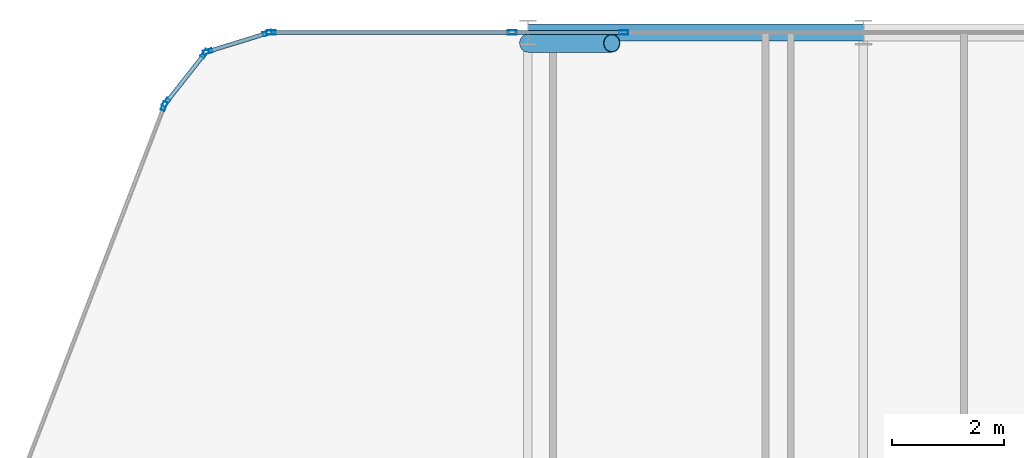
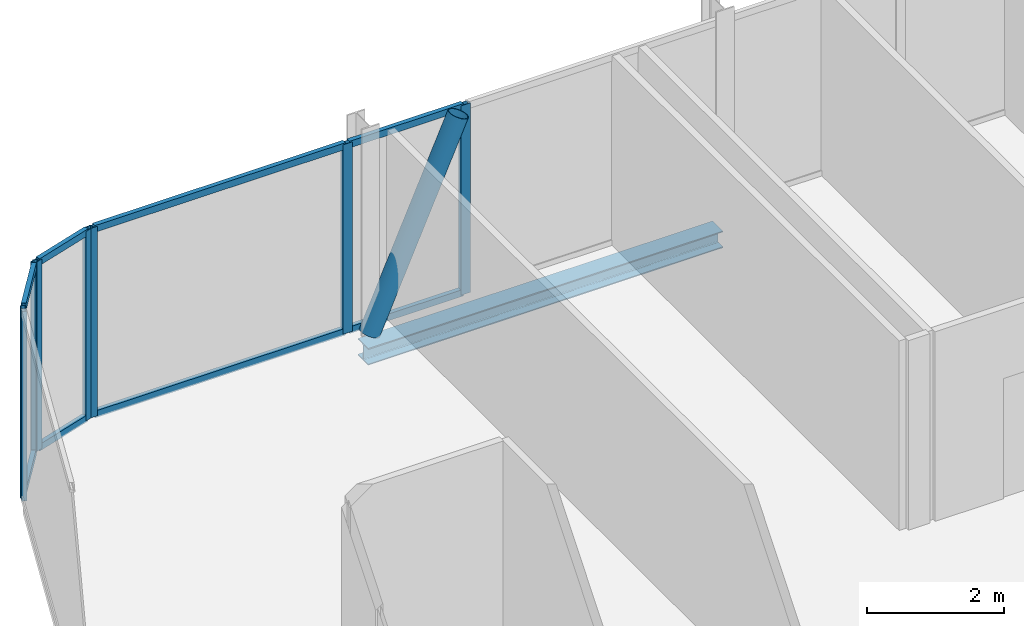
# One storey, part 18 of 29: 17 members, 1 beam, 5 elements without a shape of their own.
"""IFC4 building model written with IfcOpenShell, lengths in metres."""

from ifc_helpers import new_model, si_unit, direction, frame, origin, origin_2d, place, context, subcontext, project, spatial, hollow_rectangle, hollow_circle, i_section, extrude, material, layer, layer_set, material_profile, profile_set, type_object, element, aggregate, save


model = new_model("IFC4")

# Units and contexts
model_context = context("Model", 3, precision=1e-05, world=origin(), true_north=direction((0.0, 1.0)))
body_context = subcontext(model_context, "Body", "Model", "MODEL_VIEW")
ifc_project = project(units=[si_unit("LENGTHUNIT", "METRE"), si_unit("AREAUNIT", "SQUARE_METRE"), si_unit("VOLUMEUNIT", "CUBIC_METRE"), si_unit("PLANEANGLEUNIT", "RADIAN"), si_unit("MASSUNIT", "GRAM", prefix="KILO")], contexts=[model_context])

# Site, building, storey
site_placement = place(None, origin())
site = spatial("IfcSite", under=ifc_project, at=site_placement, CompositionType="ELEMENT")
building_placement = place(site_placement, origin())
building = spatial("IfcBuilding", under=site, at=building_placement, Name="Keshet Zoharim Tower", CompositionType="ELEMENT")
storey_placement = place(building_placement, frame((0.0, 0.0, 169.10009765625)))
storey = spatial("IfcBuildingStorey", under=building, at=storey_placement, Name="L41", CompositionType="ELEMENT", Elevation=169.10009765625)

# Beam
ifc_material_1 = material(Name="Steel S355", Category="steel")
ifc_material_profile_1 = material_profile(ifc_material_1, i_section(OverallWidth=0.300048828125, OverallDepth=0.300048828125, WebThickness=0.010986328125, FlangeThickness=0.01904296875, FilletRadius=0.027099609375, at=origin_2d()), Name="HEB300")
ifc_profile_set_1 = profile_set([ifc_material_profile_1], Name="Steel S355")
beam_type = type_object("IfcBeamType", Name="BM-PRI-HB300", PredefinedType="BEAM", material=ifc_profile_set_1)
beam_placement = place(storey_placement, frame((21.0, 53.89990234375, -0.460205078125), z_axis=(1.0, 0.0, 0.0), x_axis=(0.0, 1.0, 0.0)))
element("IfcBeam", 1, at=beam_placement, inside=storey, type_object=beam_type, Name="L41 Primary Girder X-019", PredefinedType="BEAM", context=body_context, shape_type="SweptSolid", body=[
    extrude(i_section(OverallWidth=0.300048828125, OverallDepth=0.300048828125, WebThickness=0.010986328125, FlangeThickness=0.01904296875, FilletRadius=0.027099609375, at=origin_2d()), origin(), (0.0, 0.0, 1.0), 6.0),
])

# Curtain wall, member
ifc_material_2 = material(Name="Aluminium 6063-T6", Category="aluminium")
ifc_layer = layer(ifc_material_2, 0.139892578125)
ifc_layer_set = layer_set([ifc_layer], Name="Aluminium 6063-T6")
curtain_wall_type = type_object("IfcCurtainWallType", Name="CW-SYS-05", PredefinedType="NOTDEFINED", material=ifc_layer_set)
curtain_wall_1_placement = place(storey_placement, origin())
curtain_wall_1 = element("IfcCurtainWall", 2, at=curtain_wall_1_placement, inside=storey, type_object=curtain_wall_type, Name="L41 Unitised Curtain Wall 13", PredefinedType="NOTDEFINED")
ifc_material_profile_2 = material_profile(ifc_material_2, hollow_rectangle(XDim=0.074951171875, YDim=0.159912109375, WallThickness=0.00390625, at=origin_2d()), Name="MUL-75x160")
ifc_profile_set_2 = profile_set([ifc_material_profile_2], Name="Aluminium 6063-T6")
member_type_1 = type_object("IfcMemberType", Name="CWM-M15", PredefinedType="MULLION", material=ifc_profile_set_2)
member_1_placement = place(storey_placement, frame((14.494384765625, 52.58544921875, 0.0), z_axis=(0.0, 0.0, 1.0), x_axis=(-0.933341404361, 0.358990003907, 0.0)))
member_1 = element("IfcMember", 3, at=member_1_placement, type_object=member_type_1, Name="CW-05 mullion 4", PredefinedType="MULLION", context=body_context, shape_type="SweptSolid", body=[
    extrude(hollow_rectangle(XDim=0.074951171875, YDim=0.159912109375, WallThickness=0.00390625, at=origin_2d()), origin(), (0.0, 0.0, 1.0), 3.389892578125),
])
aggregate(curtain_wall_1, [member_1])

# Curtain wall, members
curtain_wall_2_placement = place(storey_placement, origin())
curtain_wall_2 = element("IfcCurtainWall", 4, at=curtain_wall_2_placement, inside=storey, type_object=curtain_wall_type, Name="L41 Unitised Curtain Wall 14", PredefinedType="NOTDEFINED")
member_2_placement = place(storey_placement, frame((14.528564453125, 52.6455078125, 0.0), z_axis=(0.0, 0.0, 1.0), x_axis=(-0.785292825205, 0.619124525989, 0.0)))
member_2 = element("IfcMember", 5, at=member_2_placement, type_object=member_type_1, Name="CW-05 mullion 1", PredefinedType="MULLION", context=body_context, shape_type="SweptSolid", body=[
    extrude(hollow_rectangle(XDim=0.074951171875, YDim=0.159912109375, WallThickness=0.00390625, at=origin_2d()), origin(), (0.0, 0.0, 1.0), 3.389892578125),
])
member_3_placement = place(storey_placement, frame((15.21923828125, 53.521484375, 0.0), z_axis=(0.0, 0.0, 1.0), x_axis=(-0.785292825205, 0.619124525989, 0.0)))
member_3 = element("IfcMember", 6, at=member_3_placement, type_object=member_type_1, Name="CW-05 mullion 2", PredefinedType="MULLION", context=body_context, shape_type="SweptSolid", body=[
    extrude(hollow_rectangle(XDim=0.074951171875, YDim=0.159912109375, WallThickness=0.00390625, at=origin_2d()), origin(), (0.0, 0.0, 1.0), 3.389892578125),
])

curtain_wall_3_placement = place(storey_placement, origin())
curtain_wall_3 = element("IfcCurtainWall", 7, at=curtain_wall_3_placement, inside=storey, type_object=curtain_wall_type, Name="L41 Unitised Curtain Wall 15", PredefinedType="NOTDEFINED")
member_4_placement = place(storey_placement, frame((15.2744140625, 53.559326171875, 0.0), z_axis=(0.0, 0.0, 1.0), x_axis=(-0.295921857984, 0.955212151288, 0.0)))
member_4 = element("IfcMember", 8, at=member_4_placement, type_object=member_type_1, Name="CW-05 mullion 1", PredefinedType="MULLION", context=body_context, shape_type="SweptSolid", body=[
    extrude(hollow_rectangle(XDim=0.074951171875, YDim=0.159912109375, WallThickness=0.00390625, at=origin_2d()), origin(), (0.0, 0.0, 1.0), 3.389892578125),
])
member_5_placement = place(storey_placement, frame((16.340576171875, 53.8896484375, 0.0), z_axis=(0.0, 0.0, 1.0), x_axis=(-0.295921857984, 0.955212151288, 0.0)))
member_5 = element("IfcMember", 9, at=member_5_placement, type_object=member_type_1, Name="CW-05 mullion 2", PredefinedType="MULLION", context=body_context, shape_type="SweptSolid", body=[
    extrude(hollow_rectangle(XDim=0.074951171875, YDim=0.159912109375, WallThickness=0.00390625, at=origin_2d()), origin(), (0.0, 0.0, 1.0), 3.389892578125),
])

curtain_wall_4_placement = place(storey_placement, origin())
curtain_wall_4 = element("IfcCurtainWall", 10, at=curtain_wall_4_placement, inside=storey, type_object=curtain_wall_type, Name="L41 Unitised Curtain Wall 16", PredefinedType="NOTDEFINED")
member_6_placement = place(storey_placement, frame((16.408935546875, 53.89990234375, 0.0), z_axis=(0.0, 0.0, 1.0), x_axis=(0.0, 1.0, 0.0)))
member_6 = element("IfcMember", 11, at=member_6_placement, type_object=member_type_1, Name="CW-05 mullion 1", PredefinedType="MULLION", context=body_context, shape_type="SweptSolid", body=[
    extrude(hollow_rectangle(XDim=0.074951171875, YDim=0.159912109375, WallThickness=0.00390625, at=origin_2d()), origin(), (0.0, 0.0, 1.0), 3.389892578125),
])
member_7_placement = place(storey_placement, frame((20.716796875, 53.89990234375, 0.0), z_axis=(0.0, 0.0, 1.0), x_axis=(0.0, 1.0, 0.0)))
member_7 = element("IfcMember", 12, at=member_7_placement, type_object=member_type_1, Name="CW-05 mullion 2", PredefinedType="MULLION", context=body_context, shape_type="SweptSolid", body=[
    extrude(hollow_rectangle(XDim=0.074951171875, YDim=0.159912109375, WallThickness=0.00390625, at=origin_2d()), origin(), (0.0, 0.0, 1.0), 3.389892578125),
])

# Curtain wall, member
curtain_wall_5_placement = place(storey_placement, origin())
curtain_wall_5 = element("IfcCurtainWall", 13, at=curtain_wall_5_placement, inside=storey, type_object=curtain_wall_type, Name="L41 Unitised Curtain Wall 16 Part 2", PredefinedType="NOTDEFINED")
member_8_placement = place(storey_placement, frame((22.713134765625, 53.89990234375, 0.0), z_axis=(0.0, 0.0, 1.0), x_axis=(0.0, 1.0, 0.0)))
member_8 = element("IfcMember", 14, at=member_8_placement, type_object=member_type_1, Name="CW-05 mullion 2", PredefinedType="MULLION", context=body_context, shape_type="SweptSolid", body=[
    extrude(hollow_rectangle(XDim=0.074951171875, YDim=0.159912109375, WallThickness=0.00390625, at=origin_2d()), origin(), (0.0, 0.0, 1.0), 3.389892578125),
])

# Member
ifc_material_profile_3 = material_profile(ifc_material_2, hollow_rectangle(XDim=0.074951171875, YDim=0.1201171875, WallThickness=0.00390625, at=origin_2d()), Name="TRN-75x120")
ifc_profile_set_3 = profile_set([ifc_material_profile_3], Name="Aluminium 6063-T6")
member_type_2 = type_object("IfcMemberType", Name="CWT-T12", PredefinedType="USERDEFINED", material=ifc_profile_set_3)
member_9_placement = place(storey_placement, frame((14.55029296875, 52.6728515625, 0.034912109375), z_axis=(0.619099165969, 0.78531281837, 0.0), x_axis=(-0.78531281837, 0.619099165969, 0.0)))
member_9 = element("IfcMember", 15, at=member_9_placement, type_object=member_type_2, Name="CW-05 transom 1.1", ObjectType="TRANSOM", PredefinedType="USERDEFINED", context=body_context, shape_type="SweptSolid", body=[
    extrude(hollow_rectangle(XDim=0.074951171875, YDim=0.1201171875, WallThickness=0.00390625, at=origin_2d()), origin(), (0.0, 0.0, 1.0), 1.0458984375),
])

member_10_placement = place(storey_placement, frame((14.55029296875, 52.6728515625, 3.35498046875), z_axis=(0.619099165969, 0.78531281837, 0.0), x_axis=(-0.78531281837, 0.619099165969, 0.0)))
member_10 = element("IfcMember", 16, at=member_10_placement, type_object=member_type_2, Name="CW-05 transom 1.2", ObjectType="TRANSOM", PredefinedType="USERDEFINED", context=body_context, shape_type="SweptSolid", body=[
    extrude(hollow_rectangle(XDim=0.074951171875, YDim=0.1201171875, WallThickness=0.00390625, at=origin_2d()), origin(), (0.0, 0.0, 1.0), 1.0458984375),
])

aggregate(curtain_wall_2, [member_2, member_3, member_9, member_10])

member_11_placement = place(storey_placement, frame((15.307861328125, 53.56982421875, 0.034912109375), z_axis=(0.955212093062, 0.295922045933, 0.0), x_axis=(-0.295922045933, 0.955212093062, 0.0)))
member_11 = element("IfcMember", 17, at=member_11_placement, type_object=member_type_2, Name="CW-05 transom 1.1", ObjectType="TRANSOM", PredefinedType="USERDEFINED", context=body_context, shape_type="SweptSolid", body=[
    extrude(hollow_rectangle(XDim=0.074951171875, YDim=0.1201171875, WallThickness=0.00390625, at=origin_2d()), origin(), (0.0, 0.0, 1.0), 1.046142578125),
])

member_12_placement = place(storey_placement, frame((15.307861328125, 53.56982421875, 3.35498046875), z_axis=(0.955212093062, 0.295922045933, 0.0), x_axis=(-0.295922045933, 0.955212093062, 0.0)))
member_12 = element("IfcMember", 18, at=member_12_placement, type_object=member_type_2, Name="CW-05 transom 1.2", ObjectType="TRANSOM", PredefinedType="USERDEFINED", context=body_context, shape_type="SweptSolid", body=[
    extrude(hollow_rectangle(XDim=0.074951171875, YDim=0.1201171875, WallThickness=0.00390625, at=origin_2d()), origin(), (0.0, 0.0, 1.0), 1.046142578125),
])

aggregate(curtain_wall_3, [member_4, member_5, member_11, member_12])

member_13_placement = place(storey_placement, frame((16.444091796875, 53.89990234375, 0.034912109375), z_axis=(1.0, 0.0, 0.0), x_axis=(0.0, 1.0, 0.0)))
member_13 = element("IfcMember", 19, at=member_13_placement, type_object=member_type_2, Name="CW-05 transom 1.1", ObjectType="TRANSOM", PredefinedType="USERDEFINED", context=body_context, shape_type="SweptSolid", body=[
    extrude(hollow_rectangle(XDim=0.074951171875, YDim=0.1201171875, WallThickness=0.00390625, at=origin_2d()), origin(), (0.0, 0.0, 1.0), 4.23779296875),
])

member_14_placement = place(storey_placement, frame((16.444091796875, 53.89990234375, 3.35498046875), z_axis=(1.0, 0.0, 0.0), x_axis=(0.0, 1.0, 0.0)))
member_14 = element("IfcMember", 20, at=member_14_placement, type_object=member_type_2, Name="CW-05 transom 1.2", ObjectType="TRANSOM", PredefinedType="USERDEFINED", context=body_context, shape_type="SweptSolid", body=[
    extrude(hollow_rectangle(XDim=0.074951171875, YDim=0.1201171875, WallThickness=0.00390625, at=origin_2d()), origin(), (0.0, 0.0, 1.0), 4.23779296875),
])

aggregate(curtain_wall_4, [member_6, member_7, member_13, member_14])

member_15_placement = place(storey_placement, frame((20.751953125, 53.89990234375, 0.034912109375), z_axis=(1.0, 0.0, 0.0), x_axis=(0.0, 1.0, 0.0)))
member_15 = element("IfcMember", 21, at=member_15_placement, type_object=member_type_2, Name="CW-05 transom 1.1", ObjectType="TRANSOM", PredefinedType="USERDEFINED", context=body_context, shape_type="SweptSolid", body=[
    extrude(hollow_rectangle(XDim=0.074951171875, YDim=0.1201171875, WallThickness=0.00390625, at=origin_2d()), origin(), (0.0, 0.0, 1.0), 1.926025390625),
])

member_16_placement = place(storey_placement, frame((20.751953125, 53.89990234375, 3.35498046875), z_axis=(1.0, 0.0, 0.0), x_axis=(0.0, 1.0, 0.0)))
member_16 = element("IfcMember", 22, at=member_16_placement, type_object=member_type_2, Name="CW-05 transom 1.2", ObjectType="TRANSOM", PredefinedType="USERDEFINED", context=body_context, shape_type="SweptSolid", body=[
    extrude(hollow_rectangle(XDim=0.074951171875, YDim=0.1201171875, WallThickness=0.00390625, at=origin_2d()), origin(), (0.0, 0.0, 1.0), 1.926025390625),
])

aggregate(curtain_wall_5, [member_8, member_15, member_16])

ifc_material_profile_4 = material_profile(ifc_material_1, hollow_circle(Radius=0.161865234375, WallThickness=0.012451171875, at=origin_2d()), Name="CHS323x12.5")
ifc_profile_set_4 = profile_set([ifc_material_profile_4], Name="Steel S355")
member_type_3 = type_object("IfcMemberType", Name="MB-BR-C323", PredefinedType="BRACE", material=ifc_profile_set_4)
member_17_placement = place(storey_placement, frame((21.0, 53.7099609375, 0.0), z_axis=(0.40464689807, 0.0, 0.914473011019), x_axis=(0.0, 1.0, 0.0)))
element("IfcMember", 23, at=member_17_placement, inside=storey, type_object=member_type_3, Name="L41 Perimeter Tube Brace 02", PredefinedType="BRACE", context=body_context, shape_type="SweptSolid", body=[
    extrude(hollow_circle(Radius=0.161865234375, WallThickness=0.012451171875, at=origin_2d()), origin(), (0.0, 0.0, 1.0), 3.70703125),
])

save(model, "model.ifc")
